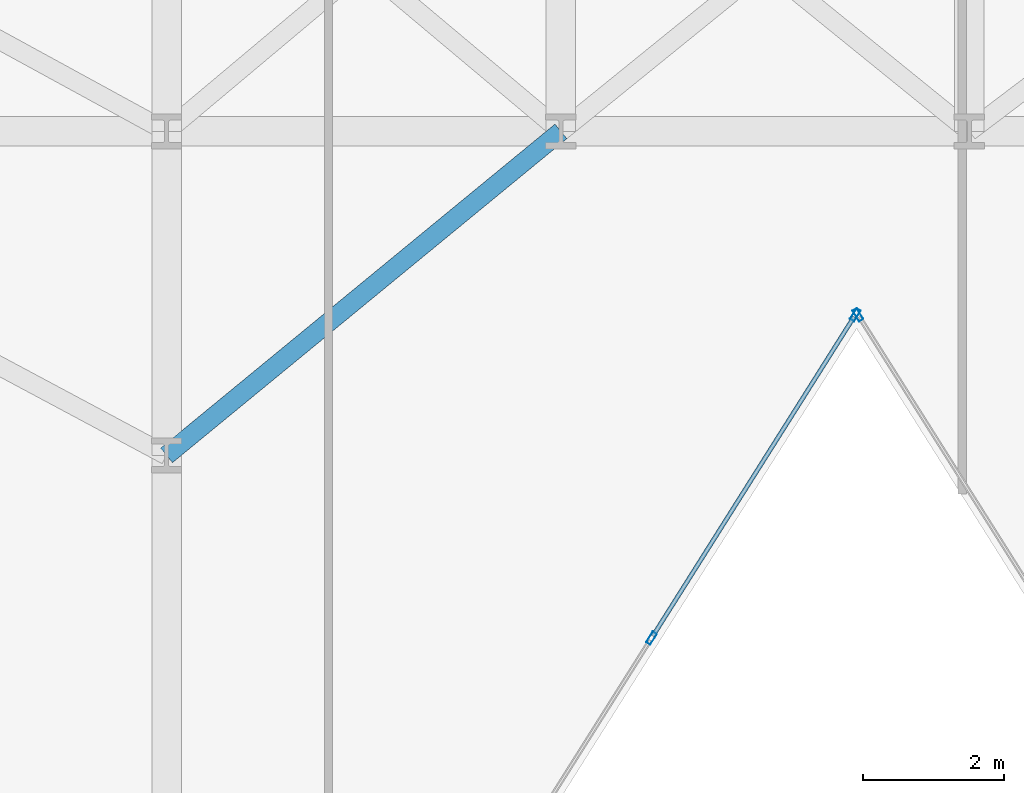
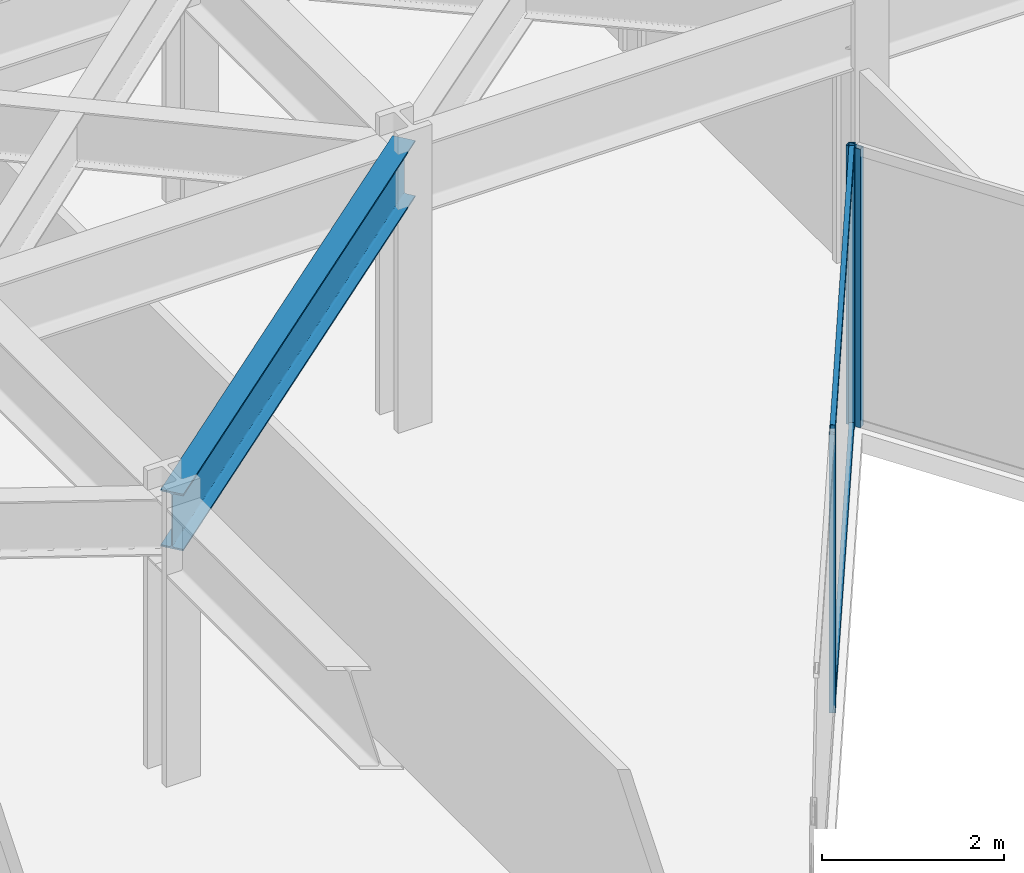
# One storey, part 10 of 24: 5 members, 1 beam, 2 elements without a shape of their own.
"""IFC4 building model written with IfcOpenShell, lengths in metres."""

from ifc_helpers import new_model, si_unit, direction, frame, origin, origin_2d, place, context, subcontext, project, spatial, hollow_rectangle, i_section, extrude, material, layer, layer_set, material_profile, profile_set, type_object, element, aggregate, save


model = new_model("IFC4")

# Units and contexts
model_context = context("Model", 3, precision=1e-05, world=origin(), true_north=direction((0.0, 1.0)))
body_context = subcontext(model_context, "Body", "Model", "MODEL_VIEW")
ifc_project = project(units=[si_unit("LENGTHUNIT", "METRE"), si_unit("AREAUNIT", "SQUARE_METRE"), si_unit("VOLUMEUNIT", "CUBIC_METRE"), si_unit("PLANEANGLEUNIT", "RADIAN"), si_unit("MASSUNIT", "GRAM", prefix="KILO")], contexts=[model_context])

# Site, building, storey
site_placement = place(None, origin())
site = spatial("IfcSite", under=ifc_project, at=site_placement, CompositionType="ELEMENT")
building_placement = place(site_placement, origin())
building = spatial("IfcBuilding", under=site, at=building_placement, Name="Kravanh Interchange Tower", CompositionType="ELEMENT")
storey_placement = place(building_placement, frame((0.0, 0.0, 69.5)))
storey = spatial("IfcBuildingStorey", under=building, at=storey_placement, Name="L16", CompositionType="ELEMENT", Elevation=69.5)

# Curtain wall, member
ifc_material_1 = material(Name="Anodised Bronze Aluminium", Category="aluminium")
ifc_layer = layer(ifc_material_1, 0.179931640625)
ifc_layer_set = layer_set([ifc_layer], Name="Unitised Curtain Wall System CW-Z1 Lower Office")
curtain_wall_type = type_object("IfcCurtainWallType", Name="Unitised Curtain Wall System CW-Z1 Lower Office", PredefinedType="NOTDEFINED", material=ifc_layer_set)
curtain_wall_1_placement = place(storey_placement, origin())
curtain_wall_1 = element("IfcCurtainWall", 1, at=curtain_wall_1_placement, inside=storey, type_object=curtain_wall_type, Name="L16 Unitised Curtain Wall CW-L16-04", PredefinedType="NOTDEFINED")
ifc_material_2 = material(Name="Anodised Bronze Aluminium", Category="aluminium")
ifc_material_profile_1 = material_profile(ifc_material_2, hollow_rectangle(XDim=0.070068359375, YDim=0.179931640625, WallThickness=0.00390625, at=origin_2d()), Name="ALU70X180X4")
ifc_profile_set_1 = profile_set([ifc_material_profile_1], Name="Anodised Bronze Aluminium")
member_type_1 = type_object("IfcMemberType", Name="Curtain Wall Mullion ALU70X180X4 Bronze", PredefinedType="MULLION", material=ifc_profile_set_1)
member_1_placement = place(storey_placement, frame((37.0185546875, 24.1953125, 0.0), z_axis=(0.0, 0.0, 1.0), x_axis=(-0.845925530786, -0.53330103728, 0.0)))
member_1 = element("IfcMember", 2, at=member_1_placement, type_object=member_type_1, Name="CW-Z1 mullion 6", PredefinedType="MULLION", context=body_context, shape_type="SweptSolid", body=[
    extrude(hollow_rectangle(XDim=0.070068359375, YDim=0.179931640625, WallThickness=0.00390625, at=origin_2d()), origin(), (0.0, 0.0, 1.0), 3.739990234375),
])
aggregate(curtain_wall_1, [member_1])

# Curtain wall, members
curtain_wall_2_placement = place(storey_placement, origin())
curtain_wall_2 = element("IfcCurtainWall", 3, at=curtain_wall_2_placement, inside=storey, type_object=curtain_wall_type, Name="L16 Unitised Curtain Wall CW-L16-05", PredefinedType="NOTDEFINED")
member_2_placement = place(storey_placement, frame((36.9814453125, 24.1953125, 0.0), z_axis=(0.0, 0.0, 1.0), x_axis=(0.845925530786, -0.53330103728, 0.0)))
member_2 = element("IfcMember", 4, at=member_2_placement, type_object=member_type_1, Name="CW-Z1 mullion 1", PredefinedType="MULLION", context=body_context, shape_type="SweptSolid", body=[
    extrude(hollow_rectangle(XDim=0.070068359375, YDim=0.179931640625, WallThickness=0.00390625, at=origin_2d()), origin(), (0.0, 0.0, 1.0), 3.739990234375),
])
member_3_placement = place(storey_placement, frame((34.086669921875, 19.60400390625, 0.0), z_axis=(0.0, 0.0, 1.0), x_axis=(0.845925530786, -0.53330103728, 0.0)))
member_3 = element("IfcMember", 5, at=member_3_placement, type_object=member_type_1, Name="CW-Z1 mullion 2", PredefinedType="MULLION", context=body_context, shape_type="SweptSolid", body=[
    extrude(hollow_rectangle(XDim=0.070068359375, YDim=0.179931640625, WallThickness=0.00390625, at=origin_2d()), origin(), (0.0, 0.0, 1.0), 3.739990234375),
])
ifc_material_3 = material(Name="Anodised Bronze Aluminium", Category="aluminium")
ifc_material_profile_2 = material_profile(ifc_material_3, hollow_rectangle(XDim=0.06005859375, YDim=0.139892578125, WallThickness=0.00390625, at=origin_2d()), Name="ALU60X140X4")
ifc_profile_set_2 = profile_set([ifc_material_profile_2], Name="Anodised Bronze Aluminium")
member_type_2 = type_object("IfcMemberType", Name="Curtain Wall Transom ALU60X140X4 Bronze", PredefinedType="USERDEFINED", material=ifc_profile_set_2)
member_4_placement = place(storey_placement, frame((36.962646484375, 24.165771484375, 0.030029296875), z_axis=(-0.533288163518, -0.845933646719, 0.0), x_axis=(0.845933646719, -0.533288163518, 0.0)))
member_4 = element("IfcMember", 6, at=member_4_placement, type_object=member_type_2, Name="CW-Z1 transom 1.1", ObjectType="TRANSOM", PredefinedType="USERDEFINED", context=body_context, shape_type="SweptSolid", body=[
    extrude(hollow_rectangle(XDim=0.06005859375, YDim=0.139892578125, WallThickness=0.00390625, at=origin_2d()), origin(), (0.0, 0.0, 1.0), 5.357666015625),
])
member_5_placement = place(storey_placement, frame((36.962646484375, 24.165771484375, 3.7099609375), z_axis=(-0.533288163518, -0.845933646719, 0.0), x_axis=(0.845933646719, -0.533288163518, 0.0)))
member_5 = element("IfcMember", 7, at=member_5_placement, type_object=member_type_2, Name="CW-Z1 transom 1.2", ObjectType="TRANSOM", PredefinedType="USERDEFINED", context=body_context, shape_type="SweptSolid", body=[
    extrude(hollow_rectangle(XDim=0.06005859375, YDim=0.139892578125, WallThickness=0.00390625, at=origin_2d()), origin(), (0.0, 0.0, 1.0), 5.357666015625),
])
aggregate(curtain_wall_2, [member_2, member_3, member_4, member_5])

# Beam
ifc_material_4 = material(Name="Structural Steel S355", Category="steel")
ifc_material_profile_3 = material_profile(ifc_material_4, i_section(OverallWidth=0.26708984375, OverallDepth=0.761962890625, WebThickness=0.014404296875, FlangeThickness=0.021484375, FilletRadius=0.02490234375, at=origin_2d()), Name="W30X116")
ifc_profile_set_3 = profile_set([ifc_material_profile_3], Name="Structural Steel S355")
beam_type = type_object("IfcBeamType", Name="Floor Spandrel W30X116 Structural Steel S355", PredefinedType="SPANDREL", material=ifc_profile_set_3)
beam_placement = place(storey_placement, frame((27.199951171875, 22.199951171875, 3.35888671875), z_axis=(0.772725074305, 0.634740860147, 0.0), x_axis=(-0.634740860147, 0.772725074305, 0.0)))
element("IfcBeam", 8, at=beam_placement, inside=storey, type_object=beam_type, Name="L16 Perimeter Spandrel 55", PredefinedType="SPANDREL", context=body_context, shape_type="SweptSolid", body=[
    extrude(i_section(OverallWidth=0.26708984375, OverallDepth=0.761962890625, WebThickness=0.014404296875, FlangeThickness=0.021484375, FilletRadius=0.02490234375, at=origin_2d()), origin(), (0.0, 0.0, 1.0), 7.247314453125),
])

save(model, "model.ifc")
